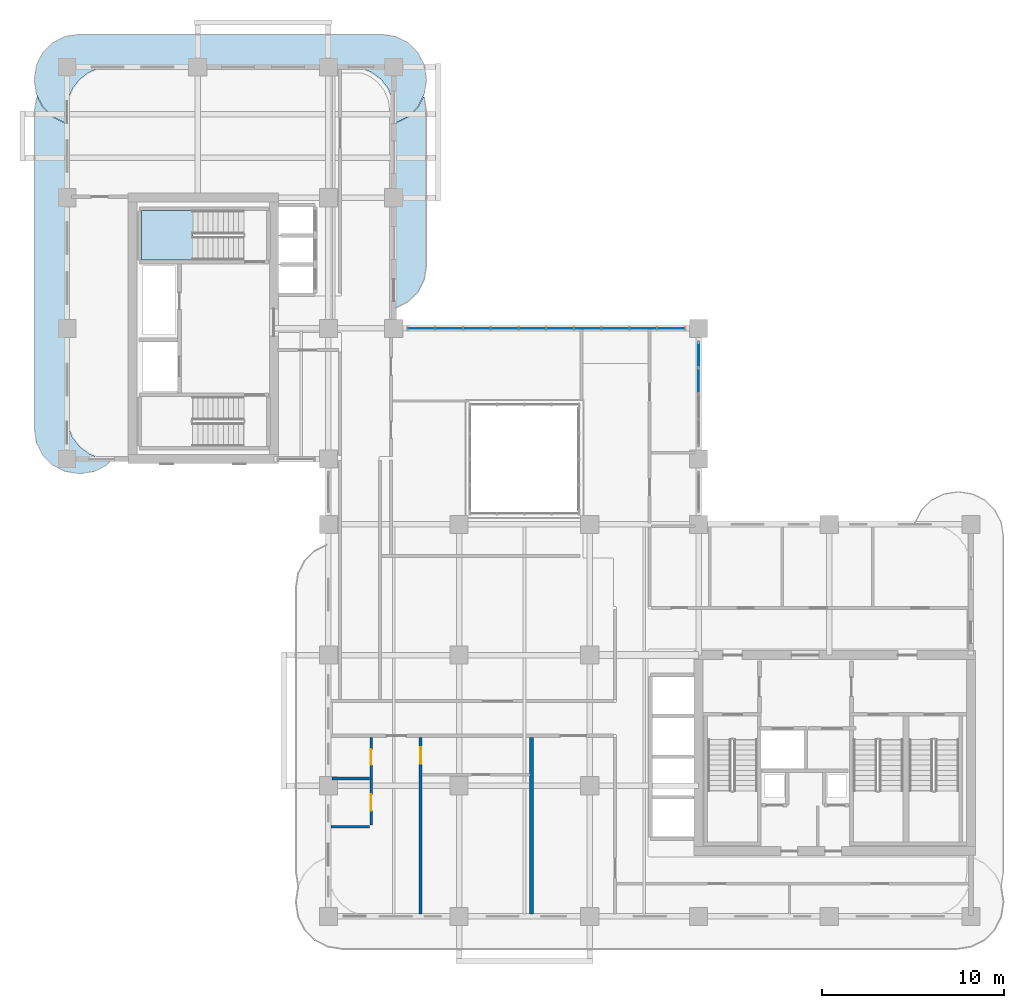
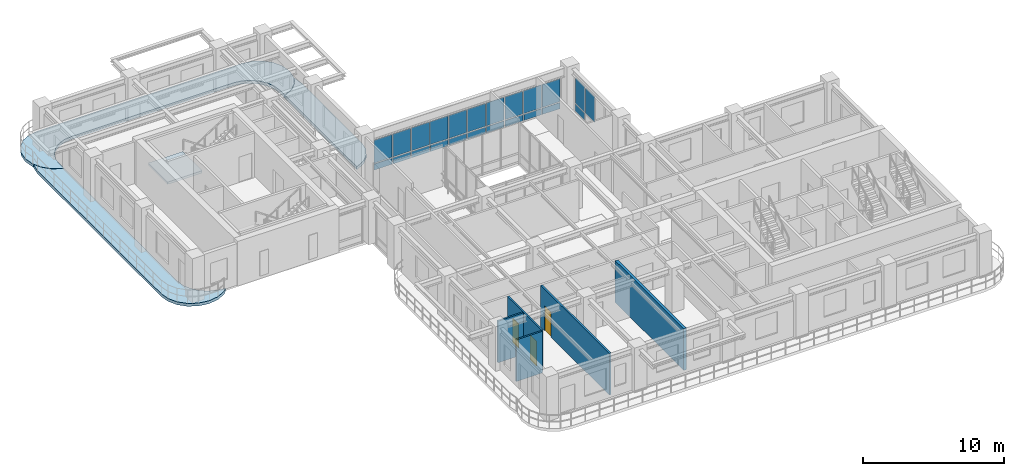
# One storey, part 10 of 19: 23 plates, 5 walls, 4 slabs, 3 doors, 3 openings, 3 elements without a shape of their own.
"""IFC4 building model written with IfcOpenShell, lengths in metres."""

from ifc_helpers import new_model, si_unit, derived_unit, direction, frame, frame_2d, origin, origin_2d, place, context, subcontext, project, spatial, polyline, rectangle, outline, extrude, source, transform, mapped, material, layer, layer_set, type_object, type_shapes, element, fill, aggregate, save


model = new_model("IFC4")

# Units and contexts
model_context = context("Model", 3, precision=1e-05, world=origin(), true_north=direction((0.0, 1.0)))
body_context = subcontext(model_context, "Body", "Model", "MODEL_VIEW")
ifc_project = project(units=[si_unit("LENGTHUNIT", "METRE"), si_unit("AREAUNIT", "SQUARE_METRE"), si_unit("VOLUMEUNIT", "CUBIC_METRE"), si_unit("PLANEANGLEUNIT", "RADIAN"), si_unit("MASSUNIT", "GRAM", prefix="KILO"), si_unit("THERMODYNAMICTEMPERATUREUNIT", "KELVIN"), si_unit("POWERUNIT", "WATT"), derived_unit("THERMALTRANSMITTANCEUNIT", [(si_unit("POWERUNIT", "WATT"), 1), (si_unit("AREAUNIT", "SQUARE_METRE"), -1), (si_unit("THERMODYNAMICTEMPERATUREUNIT", "KELVIN"), -1)])], contexts=[model_context])

# Site, building, storey
site_placement = place(None, origin())
site = spatial("IfcSite", under=ifc_project, at=site_placement, CompositionType="ELEMENT")
building_placement = place(site_placement, origin())
building = spatial("IfcBuilding", under=site, at=building_placement, Name="Zahravan Archway Hotel and Residences", CompositionType="ELEMENT")
storey_placement = place(building_placement, frame((0.0, 0.0, 150.300048828125)))
storey = spatial("IfcBuildingStorey", under=building, at=storey_placement, Name="L37", CompositionType="ELEMENT", Elevation=150.300048828125)

# Slabs
ifc_material_1 = material(Name="Concrete C45/55", Category="concrete")
ifc_layer_1 = layer(ifc_material_1, 0.25, Name="Concrete C45/55", Category="concrete")
ifc_layer_set_1 = layer_set([ifc_layer_1], Name="Concrete C45/55")
slab_type_1 = type_object("IfcSlabType", Name="SLB-BALC-250", PredefinedType="FLOOR", material=ifc_layer_set_1)
slab_1_placement = place(storey_placement, frame((0.0, 0.0, -0.25)))
element("IfcSlab", 1, at=slab_1_placement, inside=storey, type_object=slab_type_1, Name="L37 Wing B North Rounded Balcony Band", PredefinedType="FLOOR", context=body_context, shape_type="SweptSolid", body=[
    extrude(outline(polyline([(-0.107177734375, 43.719970703125), (-0.7900390625, 44.06787109375), (-1.33203125, 44.60986328125), (-1.68017578125, 45.29296875), (-1.800048828125, 46.050048828125), (-1.800048828125, 46.14990234375), (-1.68017578125, 46.906982421875), (-1.33203125, 47.590087890625), (-0.7900390625, 48.132080078125), (-0.107177734375, 48.47998046875), (0.64990234375, 48.60009765625), (17.35009765625, 48.60009765625), (18.107177734375, 48.47998046875), (18.7900390625, 48.132080078125), (19.33203125, 47.590087890625), (19.68017578125, 46.906982421875), (19.800048828125, 46.14990234375), (19.800048828125, 46.050048828125), (19.68017578125, 45.29296875), (19.33203125, 44.60986328125), (18.7900390625, 44.06787109375), (18.107177734375, 43.719970703125), (18.02001953125, 43.7060546875), (18.02001953125, 44.39990234375), (18.019775390625, 44.402587890625), (17.93798828125, 45.023681640625), (17.937744140625, 45.025390625), (17.937255859375, 45.027099609375), (17.936767578125, 45.02880859375), (17.697021484375, 45.607666015625), (17.6962890625, 45.609130859375), (17.6953125, 45.610595703125), (17.6943359375, 45.6123046875), (17.31298828125, 46.109375), (17.311767578125, 46.110595703125), (17.310546875, 46.11181640625), (17.309326171875, 46.113037109375), (16.812255859375, 46.494384765625), (16.810791015625, 46.495361328125), (16.80908203125, 46.49609375), (16.8076171875, 46.4970703125), (16.22900390625, 46.73681640625), (16.227294921875, 46.7373046875), (16.2255859375, 46.73779296875), (16.223876953125, 46.738037109375), (15.6025390625, 46.81982421875), (15.60009765625, 46.820068359375), (2.39990234375, 46.820068359375), (2.3974609375, 46.81982421875), (1.776123046875, 46.738037109375), (1.7744140625, 46.73779296875), (1.772705078125, 46.7373046875), (1.77099609375, 46.73681640625), (1.1923828125, 46.4970703125), (1.19091796875, 46.49609375), (1.189208984375, 46.495361328125), (1.187744140625, 46.494384765625), (0.690673828125, 46.113037109375), (0.689453125, 46.11181640625), (0.688232421875, 46.110595703125), (0.68701171875, 46.109375), (0.3056640625, 45.6123046875), (0.3046875, 45.610595703125), (0.3037109375, 45.609130859375), (0.302978515625, 45.607666015625), (0.063232421875, 45.02880859375), (0.062744140625, 45.027099609375), (0.062255859375, 45.025390625), (0.06201171875, 45.023681640625), (-0.019775390625, 44.402587890625), (-0.02001953125, 44.39990234375), (-0.02001953125, 43.7060546875), (-0.107177734375, 43.719970703125)])), origin(), (0.0, 0.0, 1.0), 0.25),
])
slab_2_placement = place(storey_placement, frame((0.0, 0.0, -0.25)))
element("IfcSlab", 2, at=slab_2_placement, inside=storey, type_object=slab_type_1, Name="L37 Wing B West Rounded Balcony Band", PredefinedType="FLOOR", context=body_context, shape_type="SweptSolid", body=[
    extrude(outline(polyline([(2.190185546875, 24.867919921875), (1.507080078125, 24.52001953125), (0.75, 24.39990234375), (0.64990234375, 24.39990234375), (-0.107177734375, 24.52001953125), (-0.7900390625, 24.867919921875), (-1.33203125, 25.409912109375), (-1.68017578125, 26.093017578125), (-1.800048828125, 26.85009765625), (-1.800048828125, 44.35009765625), (-1.68017578125, 45.107177734375), (-1.64404296875, 45.177978515625), (-1.349853515625, 44.600830078125), (-1.348876953125, 44.59912109375), (-1.34765625, 44.597412109375), (-1.34619140625, 44.595703125), (-0.80419921875, 44.0537109375), (-0.802734375, 44.052490234375), (-0.801025390625, 44.051025390625), (-0.79931640625, 44.050048828125), (-0.1162109375, 43.7021484375), (-0.1142578125, 43.701171875), (-0.1123046875, 43.70068359375), (-0.110107421875, 43.7001953125), (-0.023193359375, 43.686279296875), (-0.021240234375, 43.68603515625), (-0.02001953125, 43.68603515625), (-0.02001953125, 27.60009765625), (-0.019775390625, 27.597412109375), (0.06201171875, 26.976318359375), (0.062255859375, 26.974609375), (0.062744140625, 26.972900390625), (0.063232421875, 26.97119140625), (0.302978515625, 26.392333984375), (0.3037109375, 26.390869140625), (0.3046875, 26.389404296875), (0.3056640625, 26.3876953125), (0.68701171875, 25.890625), (0.688232421875, 25.889404296875), (0.689453125, 25.88818359375), (0.690673828125, 25.886962890625), (1.187744140625, 25.505615234375), (1.189208984375, 25.504638671875), (1.19091796875, 25.50390625), (1.1923828125, 25.5029296875), (1.77099609375, 25.26318359375), (1.772705078125, 25.2626953125), (1.7744140625, 25.26220703125), (1.776123046875, 25.261962890625), (2.3974609375, 25.18017578125), (2.39990234375, 25.179931640625), (2.502197265625, 25.179931640625), (2.190185546875, 24.867919921875)])), origin(), (0.0, 0.0, 1.0), 0.25),
])
slab_3_placement = place(storey_placement, frame((0.0, 0.0, -0.25)))
element("IfcSlab", 3, at=slab_3_placement, inside=storey, type_object=slab_type_1, Name="L37 Wing B East Rounded Balcony Band", PredefinedType="FLOOR", context=body_context, shape_type="SweptSolid", body=[
    extrude(outline(polyline([(19.68017578125, 45.107177734375), (19.800048828125, 44.35009765625), (19.800048828125, 35.85009765625), (19.68017578125, 35.093017578125), (19.33203125, 34.409912109375), (18.7900390625, 33.867919921875), (18.107177734375, 33.52001953125), (18.02001953125, 33.506103515625), (18.02001953125, 43.68603515625), (18.021240234375, 43.68603515625), (18.023193359375, 43.686279296875), (18.110107421875, 43.7001953125), (18.1123046875, 43.70068359375), (18.1142578125, 43.701171875), (18.1162109375, 43.7021484375), (18.79931640625, 44.050048828125), (18.801025390625, 44.051025390625), (18.802734375, 44.052490234375), (18.80419921875, 44.0537109375), (19.34619140625, 44.595703125), (19.34765625, 44.597412109375), (19.348876953125, 44.59912109375), (19.349853515625, 44.600830078125), (19.64404296875, 45.177978515625), (19.68017578125, 45.107177734375)])), origin(), (0.0, 0.0, 1.0), 0.25),
])

# Stair, slab
ifc_material_2 = material(Name="Concrete C50/60", Category="concrete")
stair_type = type_object("IfcStairType", Name="STR-CORE-1300", PredefinedType="HALF_TURN_STAIR", material=ifc_material_2)
stair_placement = place(storey_placement, origin())
stair = element("IfcStair", 4, at=stair_placement, inside=storey, type_object=stair_type, Name="L37 Core B Exit Stair 2", PredefinedType="HALF_TURN_STAIR")
ifc_layer_2 = layer(ifc_material_2, 0.199951171875, Name="Concrete C50/60", Category="concrete")
ifc_layer_set_2 = layer_set([ifc_layer_2], Name="Concrete C50/60")
slab_type_2 = type_object("IfcSlabType", Name="SLB-LND-200", PredefinedType="LANDING", material=ifc_layer_set_2)
slab_4_placement = place(storey_placement, frame((0.0, 0.0, 1.724853515625)))
slab_4 = element("IfcSlab", 5, at=slab_4_placement, type_object=slab_type_2, Name="ST-B2 landing 1", PredefinedType="LANDING", context=body_context, shape_type="SweptSolid", body=[
    extrude(outline(polyline([(6.929931640625, 38.89990234375), (4.10009765625, 38.89990234375), (4.10009765625, 36.159912109375), (6.929931640625, 36.159912109375), (6.929931640625, 38.89990234375)])), origin(), (0.0, 0.0, 1.0), 0.2001953125),
])
aggregate(stair, [slab_4])

# Curtain wall, plates
ifc_material_3 = material(Name="Bronze-Anodized Unitised Aluminium & Low-E Glass", Category="aluminium")
ifc_layer_3 = layer(ifc_material_3, 0.179931640625, Name="Bronze-Anodized Unitised Aluminium & Low-E Glass", Category="aluminium")
ifc_layer_set_3 = layer_set([ifc_layer_3], Name="Bronze-Anodized Unitised Aluminium & Low-E Glass")
curtain_wall_type = type_object("IfcCurtainWallType", Name="CW-ATR-GLAZ", PredefinedType="NOTDEFINED", material=ifc_layer_set_3)
curtain_wall_1_placement = place(storey_placement, origin())
curtain_wall_1 = element("IfcCurtainWall", 6, at=curtain_wall_1_placement, inside=storey, type_object=curtain_wall_type, Name="L37 Curtain Wall CW-L37-HNG-N-1", PredefinedType="NOTDEFINED")
ifc_material_4 = material(Name="Insulated Terracotta Spandrel Panel", Category="masonry")
ifc_layer_4 = layer(ifc_material_4, 0.0400390625, Name="Insulated Terracotta Spandrel Panel", Category="masonry")
ifc_layer_set_4 = layer_set([ifc_layer_4], Name="Insulated Terracotta Spandrel Panel")
plate_type_1 = type_object("IfcPlateType", Name="CWP-SPN-40", PredefinedType="SHEET", material=ifc_layer_set_4)
shared_shape_1 = source(origin(), body_context, "Body", "SweptSolid", [
    extrude(rectangle(XDim=1.447998046875, YDim=0.0400390625, at=origin_2d()), origin(), (0.0, 0.0, 1.0), 0.5283203125),
])
plate_1_placement = place(storey_placement, frame((19.52392578125, 32.39990234375, 0.10009765625), z_axis=(0.0, 0.0, 1.0), x_axis=(1.0, 0.0, 0.0)))
plate_1 = element("IfcPlate", 7, at=plate_1_placement, type_object=plate_type_1, Name="CW-L37-HNG-N-1 Spandrel Panel 0", PredefinedType="SHEET", context=body_context, shape_type="MappedRepresentation", body=[
    mapped(shared_shape_1, transform((0.0, 0.0, 0.0), scale=1.0)),
])
plate_2_placement = place(storey_placement, frame((21.052001953125, 32.39990234375, 0.10009765625), z_axis=(0.0, 0.0, 1.0), x_axis=(1.0, 0.0, 0.0)))
plate_2 = element("IfcPlate", 8, at=plate_2_placement, type_object=plate_type_1, Name="CW-L37-HNG-N-1 Spandrel Panel 1", PredefinedType="SHEET", context=body_context, shape_type="MappedRepresentation", body=[
    mapped(shared_shape_1, transform((0.0, 0.0, 0.0), scale=1.0)),
])
plate_3_placement = place(storey_placement, frame((22.580078125, 32.39990234375, 0.10009765625), z_axis=(0.0, 0.0, 1.0), x_axis=(1.0, 0.0, 0.0)))
plate_3 = element("IfcPlate", 9, at=plate_3_placement, type_object=plate_type_1, Name="CW-L37-HNG-N-1 Spandrel Panel 2", PredefinedType="SHEET", context=body_context, shape_type="MappedRepresentation", body=[
    mapped(shared_shape_1, transform((0.0, 0.0, 0.0), scale=1.0)),
])
plate_4_placement = place(storey_placement, frame((24.10791015625, 32.39990234375, 0.10009765625), z_axis=(0.0, 0.0, 1.0), x_axis=(1.0, 0.0, 0.0)))
plate_4 = element("IfcPlate", 10, at=plate_4_placement, type_object=plate_type_1, Name="CW-L37-HNG-N-1 Spandrel Panel 3", PredefinedType="SHEET", context=body_context, shape_type="MappedRepresentation", body=[
    mapped(shared_shape_1, transform((0.0, 0.0, 0.0), scale=1.0)),
])
plate_5_placement = place(storey_placement, frame((25.635986328125, 32.39990234375, 0.10009765625), z_axis=(0.0, 0.0, 1.0), x_axis=(1.0, 0.0, 0.0)))
plate_5 = element("IfcPlate", 11, at=plate_5_placement, type_object=plate_type_1, Name="CW-L37-HNG-N-1 Spandrel Panel 4", PredefinedType="SHEET", context=body_context, shape_type="MappedRepresentation", body=[
    mapped(shared_shape_1, transform((0.0, 0.0, 0.0), scale=1.0)),
])
plate_6_placement = place(storey_placement, frame((27.1640625, 32.39990234375, 0.10009765625), z_axis=(0.0, 0.0, 1.0), x_axis=(1.0, 0.0, 0.0)))
plate_6 = element("IfcPlate", 12, at=plate_6_placement, type_object=plate_type_1, Name="CW-L37-HNG-N-1 Spandrel Panel 5", PredefinedType="SHEET", context=body_context, shape_type="MappedRepresentation", body=[
    mapped(shared_shape_1, transform((0.0, 0.0, 0.0), scale=1.0)),
])
plate_7_placement = place(storey_placement, frame((28.69189453125, 32.39990234375, 0.10009765625), z_axis=(0.0, 0.0, 1.0), x_axis=(1.0, 0.0, 0.0)))
plate_7 = element("IfcPlate", 13, at=plate_7_placement, type_object=plate_type_1, Name="CW-L37-HNG-N-1 Spandrel Panel 6", PredefinedType="SHEET", context=body_context, shape_type="MappedRepresentation", body=[
    mapped(shared_shape_1, transform((0.0, 0.0, 0.0), scale=1.0)),
])
plate_8_placement = place(storey_placement, frame((30.219970703125, 32.39990234375, 0.10009765625), z_axis=(0.0, 0.0, 1.0), x_axis=(1.0, 0.0, 0.0)))
plate_8 = element("IfcPlate", 14, at=plate_8_placement, type_object=plate_type_1, Name="CW-L37-HNG-N-1 Spandrel Panel 7", PredefinedType="SHEET", context=body_context, shape_type="MappedRepresentation", body=[
    mapped(shared_shape_1, transform((0.0, 0.0, 0.0), scale=1.0)),
])
plate_9_placement = place(storey_placement, frame((31.748046875, 32.39990234375, 0.10009765625), z_axis=(0.0, 0.0, 1.0), x_axis=(1.0, 0.0, 0.0)))
plate_9 = element("IfcPlate", 15, at=plate_9_placement, type_object=plate_type_1, Name="CW-L37-HNG-N-1 Spandrel Panel 8", PredefinedType="SHEET", context=body_context, shape_type="MappedRepresentation", body=[
    mapped(shared_shape_1, transform((0.0, 0.0, 0.0), scale=1.0)),
])
plate_10_placement = place(storey_placement, frame((33.27587890625, 32.39990234375, 0.10009765625), z_axis=(0.0, 0.0, 1.0), x_axis=(1.0, 0.0, 0.0)))
plate_10 = element("IfcPlate", 16, at=plate_10_placement, type_object=plate_type_1, Name="CW-L37-HNG-N-1 Spandrel Panel 9", PredefinedType="SHEET", context=body_context, shape_type="MappedRepresentation", body=[
    mapped(shared_shape_1, transform((0.0, 0.0, 0.0), scale=1.0)),
])
ifc_material_5 = material(Name="Double-Silver Low-E Insulated Vision Glass", Category="glass")
ifc_layer_5 = layer(ifc_material_5, 0.028076171875, Name="Double-Silver Low-E Insulated Vision Glass", Category="glass")
ifc_layer_set_5 = layer_set([ifc_layer_5], Name="Double-Silver Low-E Insulated Vision Glass")
plate_type_2 = type_object("IfcPlateType", Name="CWP-GLZ-28", PredefinedType="CURTAIN_PANEL", material=ifc_layer_set_5)
shared_shape_2 = source(origin(), body_context, "Body", "SweptSolid", [
    extrude(rectangle(XDim=1.447998046875, YDim=0.028076171875, at=origin_2d()), origin(), (0.0, 0.0, 1.0), 1.9765625),
])
plate_11_placement = place(storey_placement, frame((19.52392578125, 32.39990234375, 0.708251953125), z_axis=(0.0, 0.0, 1.0), x_axis=(1.0, 0.0, 0.0)))
plate_11 = element("IfcPlate", 17, at=plate_11_placement, type_object=plate_type_2, Name="CW-L37-HNG-N-1 Low-E Vision Panel 0", PredefinedType="CURTAIN_PANEL", context=body_context, shape_type="MappedRepresentation", body=[
    mapped(shared_shape_2, transform((0.0, 0.0, 0.0), scale=1.0)),
])
plate_12_placement = place(storey_placement, frame((21.052001953125, 32.39990234375, 0.708251953125), z_axis=(0.0, 0.0, 1.0), x_axis=(1.0, 0.0, 0.0)))
plate_12 = element("IfcPlate", 18, at=plate_12_placement, type_object=plate_type_2, Name="CW-L37-HNG-N-1 Low-E Vision Panel 1", PredefinedType="CURTAIN_PANEL", context=body_context, shape_type="MappedRepresentation", body=[
    mapped(shared_shape_2, transform((0.0, 0.0, 0.0), scale=1.0)),
])
plate_13_placement = place(storey_placement, frame((22.580078125, 32.39990234375, 0.708251953125), z_axis=(0.0, 0.0, 1.0), x_axis=(1.0, 0.0, 0.0)))
plate_13 = element("IfcPlate", 19, at=plate_13_placement, type_object=plate_type_2, Name="CW-L37-HNG-N-1 Low-E Vision Panel 2", PredefinedType="CURTAIN_PANEL", context=body_context, shape_type="MappedRepresentation", body=[
    mapped(shared_shape_2, transform((0.0, 0.0, 0.0), scale=1.0)),
])
plate_14_placement = place(storey_placement, frame((24.10791015625, 32.39990234375, 0.708251953125), z_axis=(0.0, 0.0, 1.0), x_axis=(1.0, 0.0, 0.0)))
plate_14 = element("IfcPlate", 20, at=plate_14_placement, type_object=plate_type_2, Name="CW-L37-HNG-N-1 Low-E Vision Panel 3", PredefinedType="CURTAIN_PANEL", context=body_context, shape_type="MappedRepresentation", body=[
    mapped(shared_shape_2, transform((0.0, 0.0, 0.0), scale=1.0)),
])
plate_15_placement = place(storey_placement, frame((25.635986328125, 32.39990234375, 0.708251953125), z_axis=(0.0, 0.0, 1.0), x_axis=(1.0, 0.0, 0.0)))
plate_15 = element("IfcPlate", 21, at=plate_15_placement, type_object=plate_type_2, Name="CW-L37-HNG-N-1 Low-E Vision Panel 4", PredefinedType="CURTAIN_PANEL", context=body_context, shape_type="MappedRepresentation", body=[
    mapped(shared_shape_2, transform((0.0, 0.0, 0.0), scale=1.0)),
])
plate_16_placement = place(storey_placement, frame((27.1640625, 32.39990234375, 0.708251953125), z_axis=(0.0, 0.0, 1.0), x_axis=(1.0, 0.0, 0.0)))
plate_16 = element("IfcPlate", 22, at=plate_16_placement, type_object=plate_type_2, Name="CW-L37-HNG-N-1 Low-E Vision Panel 5", PredefinedType="CURTAIN_PANEL", context=body_context, shape_type="MappedRepresentation", body=[
    mapped(shared_shape_2, transform((0.0, 0.0, 0.0), scale=1.0)),
])
plate_17_placement = place(storey_placement, frame((28.69189453125, 32.39990234375, 0.708251953125), z_axis=(0.0, 0.0, 1.0), x_axis=(1.0, 0.0, 0.0)))
plate_17 = element("IfcPlate", 23, at=plate_17_placement, type_object=plate_type_2, Name="CW-L37-HNG-N-1 Low-E Vision Panel 6", PredefinedType="CURTAIN_PANEL", context=body_context, shape_type="MappedRepresentation", body=[
    mapped(shared_shape_2, transform((0.0, 0.0, 0.0), scale=1.0)),
])
plate_18_placement = place(storey_placement, frame((30.219970703125, 32.39990234375, 0.708251953125), z_axis=(0.0, 0.0, 1.0), x_axis=(1.0, 0.0, 0.0)))
plate_18 = element("IfcPlate", 24, at=plate_18_placement, type_object=plate_type_2, Name="CW-L37-HNG-N-1 Low-E Vision Panel 7", PredefinedType="CURTAIN_PANEL", context=body_context, shape_type="MappedRepresentation", body=[
    mapped(shared_shape_2, transform((0.0, 0.0, 0.0), scale=1.0)),
])
plate_19_placement = place(storey_placement, frame((31.748046875, 32.39990234375, 0.708251953125), z_axis=(0.0, 0.0, 1.0), x_axis=(1.0, 0.0, 0.0)))
plate_19 = element("IfcPlate", 25, at=plate_19_placement, type_object=plate_type_2, Name="CW-L37-HNG-N-1 Low-E Vision Panel 8", PredefinedType="CURTAIN_PANEL", context=body_context, shape_type="MappedRepresentation", body=[
    mapped(shared_shape_2, transform((0.0, 0.0, 0.0), scale=1.0)),
])
plate_20_placement = place(storey_placement, frame((33.27587890625, 32.39990234375, 0.708251953125), z_axis=(0.0, 0.0, 1.0), x_axis=(1.0, 0.0, 0.0)))
plate_20 = element("IfcPlate", 26, at=plate_20_placement, type_object=plate_type_2, Name="CW-L37-HNG-N-1 Low-E Vision Panel 9", PredefinedType="CURTAIN_PANEL", context=body_context, shape_type="MappedRepresentation", body=[
    mapped(shared_shape_2, transform((0.0, 0.0, 0.0), scale=1.0)),
])
aggregate(curtain_wall_1, [plate_1, plate_11, plate_2, plate_12, plate_3, plate_13, plate_4, plate_14, plate_5, plate_15, plate_6, plate_16, plate_7, plate_17, plate_8, plate_18, plate_9, plate_19, plate_10, plate_20])

curtain_wall_2_placement = place(storey_placement, origin())
curtain_wall_2 = element("IfcCurtainWall", 27, at=curtain_wall_2_placement, inside=storey, type_object=curtain_wall_type, Name="L37 Curtain Wall CW-L37-HNG-E-2", PredefinedType="NOTDEFINED")
shared_shape_3 = source(origin(), body_context, "Body", "SweptSolid", [
    extrude(rectangle(XDim=1.340087890625, YDim=0.0400390625, at=origin_2d()), origin(), (0.0, 0.0, 1.0), 0.600341796875),
])
plate_21_placement = place(storey_placement, frame((34.800048828125, 30.929931640625, 0.10009765625), z_axis=(0.0, 0.0, 1.0), x_axis=(0.0, 1.0, 0.0)))
plate_21 = element("IfcPlate", 28, at=plate_21_placement, type_object=plate_type_1, Name="CW-L37-HNG-E-2 Spandrel Panel 3", PredefinedType="SHEET", context=body_context, shape_type="MappedRepresentation", body=[
    mapped(shared_shape_3, transform((0.0, 0.0, 0.0), scale=1.0)),
])
shared_shape_4 = source(origin(), body_context, "Body", "SweptSolid", [
    extrude(rectangle(XDim=1.340087890625, YDim=0.028076171875, at=origin_2d()), origin(), (0.0, 0.0, 1.0), 2.20458984375),
])
plate_22_placement = place(storey_placement, frame((34.800048828125, 29.510009765625, 0.7802734375), z_axis=(0.0, 0.0, 1.0), x_axis=(0.0, 1.0, 0.0)))
plate_22 = element("IfcPlate", 29, at=plate_22_placement, type_object=plate_type_2, Name="CW-L37-HNG-E-2 Low-E Vision Panel 2", PredefinedType="CURTAIN_PANEL", context=body_context, shape_type="MappedRepresentation", body=[
    mapped(shared_shape_4, transform((0.0, 0.0, 0.0), scale=1.0)),
])
plate_23_placement = place(storey_placement, frame((34.800048828125, 30.929931640625, 0.7802734375), z_axis=(0.0, 0.0, 1.0), x_axis=(0.0, 1.0, 0.0)))
plate_23 = element("IfcPlate", 30, at=plate_23_placement, type_object=plate_type_2, Name="CW-L37-HNG-E-2 Low-E Vision Panel 3", PredefinedType="CURTAIN_PANEL", context=body_context, shape_type="MappedRepresentation", body=[
    mapped(shared_shape_4, transform((0.0, 0.0, 0.0), scale=1.0)),
])
aggregate(curtain_wall_2, [plate_22, plate_21, plate_23])

# Wall
ifc_material_6 = material(Name="Fire-Rated Gypsum & Concrete Block", Category="concrete")
ifc_layer_6 = layer(ifc_material_6, 0.219970703125, Name="Fire-Rated Gypsum & Concrete Block", Category="concrete")
ifc_layer_set_6 = layer_set([ifc_layer_6], Name="Fire-Rated Gypsum & Concrete Block")
wall_type_1 = type_object("IfcWallType", Name="PW-COMP-220", PredefinedType="PARTITIONING", material=ifc_layer_set_6)
wall_1_placement = place(storey_placement, frame((25.60009765625, 0.14794921875, 0.0), z_axis=(0.0, 0.0, 1.0), x_axis=(0.0, 1.0, 0.0)))
element("IfcWall", 31, at=wall_1_placement, inside=storey, type_object=wall_type_1, Name="L37 Partition WAS-R3", PredefinedType="PARTITIONING", context=body_context, shape_type="SweptSolid", body=[
    extrude(rectangle(XDim=9.712158203125, YDim=0.219970703125, at=frame_2d((4.85595703125, 0.0))), origin(), (0.0, 0.0, 1.0), 3.599853515625),
])

# Wall, opening, door
ifc_material_7 = material(Name="Acoustic Stud Partition")
ifc_layer_7 = layer(ifc_material_7, 0.14990234375, Name="Acoustic Stud Partition")
ifc_layer_set_7 = layer_set([ifc_layer_7], Name="Acoustic Stud Partition")
wall_type_2 = type_object("IfcWallType", Name="PW-UNIT-150", PredefinedType="PARTITIONING", material=ifc_layer_set_7)
wall_2_placement = place(storey_placement, frame((19.47998046875, 0.14794921875, 0.0), z_axis=(0.0, 0.0, 1.0), x_axis=(0.0, 1.0, 0.0)))
wall_2 = element("IfcWall", 32, at=wall_2_placement, inside=storey, type_object=wall_type_2, Name="L37 Partition FL-S1-SP", PredefinedType="PARTITIONING", context=body_context, shape_type="SweptSolid", body=[
    extrude(rectangle(XDim=9.712158203125, YDim=0.14990234375, at=frame_2d((4.85595703125, 0.0))), origin(), (0.0, 0.0, 1.0), 3.599853515625),
])
opening_1_placement = place(wall_2_placement, frame((8.277099609375, 0.0, 0.0)))
opening_1 = element("IfcOpeningElement", 33, at=opening_1_placement, cuts=wall_2, Name="Opening D-I2", PredefinedType="OPENING", context=body_context, shape_type="SweptSolid", body=[
    extrude(rectangle(XDim=0.89990234375, YDim=2.14990234375, at=frame_2d((0.449951171875, 1.074951171875))), frame((0.0, 0.0849609375, 0.0), z_axis=(0.0, -1.0, 0.0), x_axis=(1.0, 0.0, 0.0)), (0.0, 0.0, 1.0), 0.169921875),
])
ifc_material_8 = material(Name="Hardwood Veneer Timber", Category="wood")
door_type_1 = type_object("IfcDoorType", Name="ID-INT-900", OperationType="NOTDEFINED", PredefinedType="DOOR", material=ifc_material_8)
shared_shape_5 = source(origin(), body_context, "Body", "SweptSolid", [
    extrude(rectangle(XDim=0.89990234375, YDim=2.14990234375, at=frame_2d((0.449951171875, 1.074951171875))), frame((0.0, 0.02490234375, 0.0), z_axis=(0.0, -1.0, 0.0), x_axis=(1.0, 0.0, 0.0)), (0.0, 0.0, 1.0), 0.050048828125),
])
type_shapes(door_type_1, [shared_shape_5])
door_1_placement = place(opening_1_placement, origin())
door_1 = element("IfcDoor", 34, at=door_1_placement, inside=storey, type_object=door_type_1, Name="L37 Flat S1 Bedroom Hall Door", OperationType="SINGLE_SWING_LEFT", OverallHeight=2.14990234375, OverallWidth=0.89990234375, PredefinedType="DOOR", context=body_context, shape_type="MappedRepresentation", body=[
    mapped(shared_shape_5, transform((0.0, 0.0, 0.0), scale=1.0)),
])
fill(opening_1, door_1)

# Wall, openings, doors
ifc_material_9 = material(Name="Moisture-Resistant Blockwork", Category="masonry")
ifc_layer_8 = layer(ifc_material_9, 0.139892578125, Name="Moisture-Resistant Blockwork", Category="masonry")
ifc_layer_set_8 = layer_set([ifc_layer_8], Name="Moisture-Resistant Blockwork")
wall_type_3 = type_object("IfcWallType", Name="PW-WET-140", PredefinedType="PARTITIONING", material=ifc_layer_set_8)
wall_3_placement = place(storey_placement, frame((16.75, 5.0400390625, 0.0), z_axis=(0.0, 0.0, 1.0), x_axis=(0.0, 1.0, 0.0)))
wall_3 = element("IfcWall", 35, at=wall_3_placement, inside=storey, type_object=wall_type_3, Name="L37 Partition FL-S1-BV", PredefinedType="PARTITIONING", context=body_context, shape_type="SweptSolid", body=[
    extrude(rectangle(XDim=4.820068359375, YDim=0.139892578125, at=frame_2d((2.41015625, 0.0))), origin(), (0.0, 0.0, 1.0), 3.599853515625),
])
opening_2_placement = place(wall_3_placement, frame((0.784912109375, 0.0, 0.0)))
opening_2 = element("IfcOpeningElement", 36, at=opening_2_placement, cuts=wall_3, Name="Opening D-I2", PredefinedType="OPENING", context=body_context, shape_type="SweptSolid", body=[
    extrude(rectangle(XDim=0.89990234375, YDim=2.14990234375, at=frame_2d((0.449951171875, 1.074951171875))), frame((0.0, 0.080078125, 0.0), z_axis=(0.0, -1.0, 0.0), x_axis=(1.0, 0.0, 0.0)), (0.0, 0.0, 1.0), 0.159912109375),
])
opening_3_placement = place(wall_3_placement, frame((3.31005859375, 0.0, 0.0)))
opening_3 = element("IfcOpeningElement", 37, at=opening_3_placement, cuts=wall_3, Name="Opening D-B1", PredefinedType="OPENING", context=body_context, shape_type="SweptSolid", body=[
    extrude(rectangle(XDim=0.85009765625, YDim=2.10009765625, at=frame_2d((0.425048828125, 1.050048828125))), frame((0.0, 0.080078125, 0.0), z_axis=(0.0, -1.0, 0.0), x_axis=(1.0, 0.0, 0.0)), (0.0, 0.0, 1.0), 0.159912109375),
])
door_type_2 = type_object("IfcDoorType", Name="ID-BATH-850", OperationType="NOTDEFINED", PredefinedType="DOOR", material=ifc_material_8)
shared_shape_6 = source(origin(), body_context, "Body", "SweptSolid", [
    extrude(rectangle(XDim=0.85009765625, YDim=2.10009765625, at=frame_2d((0.425048828125, 1.050048828125))), frame((0.0, 0.02490234375, 0.0), z_axis=(0.0, -1.0, 0.0), x_axis=(1.0, 0.0, 0.0)), (0.0, 0.0, 1.0), 0.050048828125),
])
type_shapes(door_type_2, [shared_shape_6])
door_2_placement = place(opening_3_placement, origin())
door_2 = element("IfcDoor", 38, at=door_2_placement, inside=storey, type_object=door_type_2, Name="L37 Flat S1 Bathroom Door", OperationType="SINGLE_SWING_LEFT", OverallHeight=2.10009765625, OverallWidth=0.85009765625, PredefinedType="DOOR", context=body_context, shape_type="MappedRepresentation", body=[
    mapped(shared_shape_6, transform((0.0, 0.0, 0.0), scale=1.0)),
])
fill(opening_3, door_2)
door_3_placement = place(opening_2_placement, origin())
door_3 = element("IfcDoor", 39, at=door_3_placement, inside=storey, type_object=door_type_1, Name="L37 Flat S1 Kitchen Door", OperationType="SINGLE_SWING_RIGHT", OverallHeight=2.14990234375, OverallWidth=0.89990234375, PredefinedType="DOOR", context=body_context, shape_type="MappedRepresentation", body=[
    mapped(shared_shape_5, transform((0.0, 0.0, 0.0), scale=1.0)),
])
fill(opening_2, door_3)

# Walls
wall_4_placement = place(storey_placement, frame((14.590087890625, 7.60009765625, 0.0), z_axis=(0.0, 0.0, 1.0), x_axis=(1.0, 0.0, 0.0)))
element("IfcWall", 40, at=wall_4_placement, inside=storey, type_object=wall_type_3, Name="L37 Partition FL-S1-BM", PredefinedType="PARTITIONING", context=body_context, shape_type="SweptSolid", body=[
    extrude(rectangle(XDim=2.06982421875, YDim=0.139892578125, at=frame_2d((1.034912109375, 0.0))), origin(), (0.0, 0.0, 1.0), 3.599853515625),
])
wall_5_placement = place(storey_placement, frame((14.548095703125, 4.949951171875, 0.0), z_axis=(0.0, 0.0, 1.0), x_axis=(1.0, 0.0, 0.0)))
element("IfcWall", 41, at=wall_5_placement, inside=storey, type_object=wall_type_3, Name="L37 Partition FL-S1-KH", PredefinedType="PARTITIONING", context=body_context, shape_type="SweptSolid", body=[
    extrude(rectangle(XDim=2.11181640625, YDim=0.139892578125, at=frame_2d((1.055908203125, 0.0))), origin(), (0.0, 0.0, 1.0), 3.599853515625),
])

save(model, "model.ifc")
